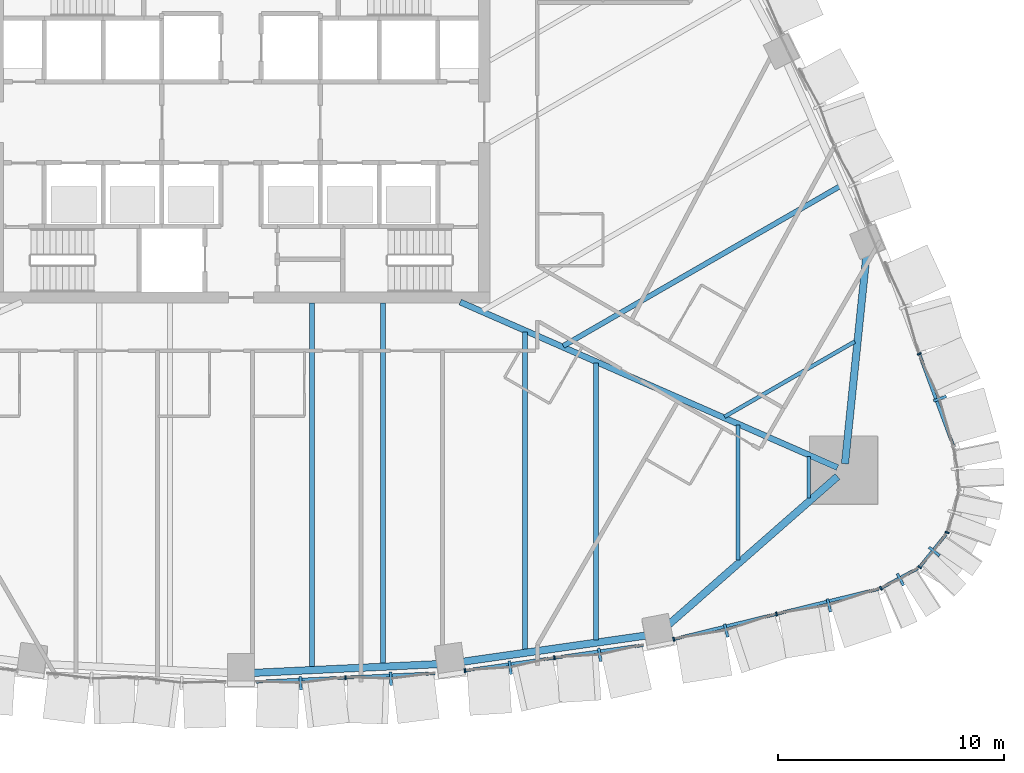
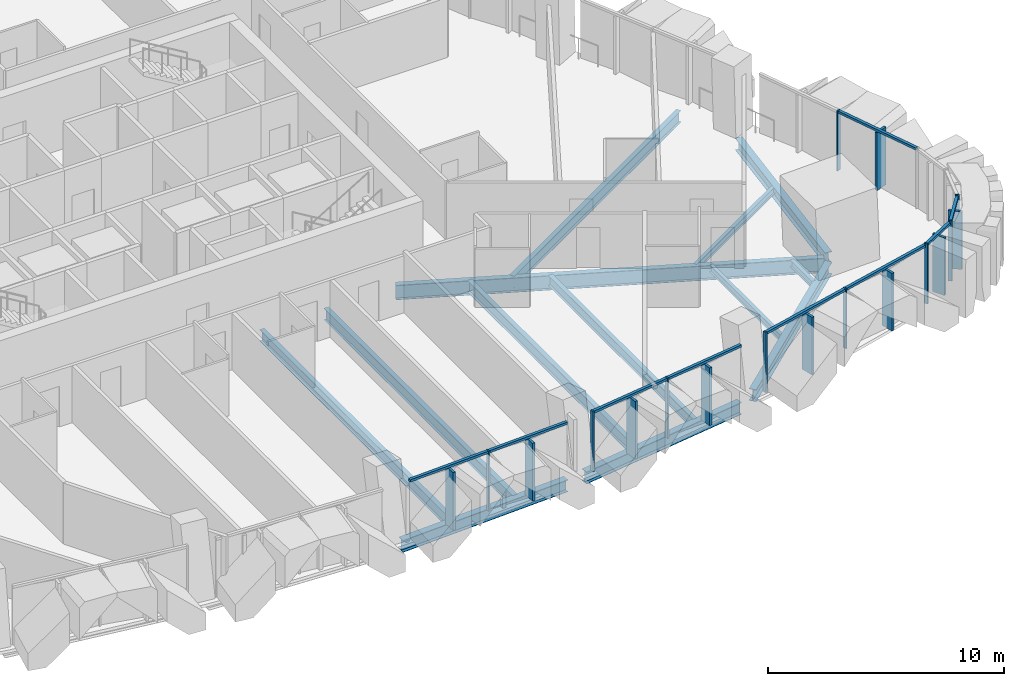
# One storey, part 4 of 22: 27 members, 13 beams, 7 elements without a shape of their own.
"""IFC4 building model written with IfcOpenShell, lengths in metres."""

from ifc_helpers import new_model, si_unit, direction, frame, origin, origin_2d, place, context, subcontext, project, spatial, rectangle, i_section, extrude, material, layer, layer_set, material_profile, profile_set, type_object, element, aggregate, save


model = new_model("IFC4")

# Units and contexts
model_context = context("Model", 3, precision=1e-05, world=origin(), true_north=direction((0.0, 1.0)))
body_context = subcontext(model_context, "Body", "Model", "MODEL_VIEW")
ifc_project = project(units=[si_unit("LENGTHUNIT", "METRE"), si_unit("AREAUNIT", "SQUARE_METRE"), si_unit("VOLUMEUNIT", "CUBIC_METRE"), si_unit("PLANEANGLEUNIT", "RADIAN"), si_unit("MASSUNIT", "GRAM", prefix="KILO")], contexts=[model_context])

# Site, building, storey
site_placement = place(None, origin())
site = spatial("IfcSite", under=ifc_project, at=site_placement, CompositionType="ELEMENT")
building_placement = place(site_placement, origin())
building = spatial("IfcBuilding", under=site, at=building_placement, Name="Sierra Prisma Convention Tower", CompositionType="ELEMENT")
storey_placement = place(building_placement, frame((0.0, 0.0, 66.5)))
storey = spatial("IfcBuildingStorey", under=building, at=storey_placement, Name="L12", CompositionType="ELEMENT", Elevation=66.5)

# Curtain wall, members
ifc_material_1 = material(Name="Aluminium and glass curtain wall", Category="aluminium")
ifc_layer = layer(ifc_material_1, 0.179931640625)
ifc_layer_set = layer_set([ifc_layer], Name="CW-2 Faceted crystal curtain wall")
curtain_wall_type = type_object("IfcCurtainWallType", Name="CW-2 Faceted crystal curtain wall", PredefinedType="NOTDEFINED", material=ifc_layer_set)
curtain_wall_1_placement = place(storey_placement, origin())
curtain_wall_1 = element("IfcCurtainWall", 1, at=curtain_wall_1_placement, inside=storey, type_object=curtain_wall_type, Name="CW-2 S4 L12", PredefinedType="NOTDEFINED")
ifc_material_2 = material(Name="Aluminium 6063-T6 bronze anodised", Category="aluminium")
ifc_material_profile_1 = material_profile(ifc_material_2, rectangle(XDim=0.1201171875, YDim=0.60009765625, at=origin_2d()), Name="ALU RIDGE BLADE 120x600")
ifc_profile_set_1 = profile_set([ifc_material_profile_1], Name="Aluminium 6063-T6 bronze anodised")
member_type_1 = type_object("IfcMemberType", Name="CW hip bronze", PredefinedType="MULLION", material=ifc_profile_set_1)
member_1_placement = place(storey_placement, frame((2.635009765625, -24.806396484375, 0.0), z_axis=(0.0, 0.0, 1.0), x_axis=(0.998890441381, 0.047094438284, 0.0)))
member_1 = element("IfcMember", 2, at=member_1_placement, type_object=member_type_1, Name="CW-2 ridge S4.1", PredefinedType="MULLION", context=body_context, shape_type="SweptSolid", body=[
    extrude(rectangle(XDim=0.1201171875, YDim=0.60009765625, at=origin_2d()), origin(), (0.0, 0.0, 1.0), 2.97998046875),
])
member_2_placement = place(storey_placement, frame((6.6220703125, -24.618408203125, 0.0), z_axis=(0.0, 0.0, 1.0), x_axis=(0.998890441381, 0.047094438284, 0.0)))
member_2 = element("IfcMember", 3, at=member_2_placement, type_object=member_type_1, Name="CW-2 ridge S4.2", PredefinedType="MULLION", context=body_context, shape_type="SweptSolid", body=[
    extrude(rectangle(XDim=0.1201171875, YDim=0.60009765625, at=origin_2d()), origin(), (0.0, 0.0, 1.0), 2.97998046875),
])

curtain_wall_2_placement = place(storey_placement, origin())
curtain_wall_2 = element("IfcCurtainWall", 4, at=curtain_wall_2_placement, inside=storey, type_object=curtain_wall_type, Name="CW-2 S5 L12", PredefinedType="NOTDEFINED")
member_3_placement = place(storey_placement, frame((11.9013671875, -24.11767578125, 0.0), z_axis=(0.0, 0.0, 1.0), x_axis=(0.989998282909, 0.141079409682, 0.0)))
member_3 = element("IfcMember", 5, at=member_3_placement, type_object=member_type_1, Name="CW-2 ridge S5.1", PredefinedType="MULLION", context=body_context, shape_type="SweptSolid", body=[
    extrude(rectangle(XDim=0.1201171875, YDim=0.60009765625, at=origin_2d()), origin(), (0.0, 0.0, 1.0), 2.97998046875),
])
member_4_placement = place(storey_placement, frame((15.85888671875, -23.5537109375, 0.0), z_axis=(0.0, 0.0, 1.0), x_axis=(0.989998282909, 0.141079409682, 0.0)))
member_4 = element("IfcMember", 6, at=member_4_placement, type_object=member_type_1, Name="CW-2 ridge S5.2", PredefinedType="MULLION", context=body_context, shape_type="SweptSolid", body=[
    extrude(rectangle(XDim=0.1201171875, YDim=0.60009765625, at=origin_2d()), origin(), (0.0, 0.0, 1.0), 2.97998046875),
])

curtain_wall_3_placement = place(storey_placement, origin())
curtain_wall_3 = element("IfcCurtainWall", 7, at=curtain_wall_3_placement, inside=storey, type_object=curtain_wall_type, Name="CW-2 S6 L12", PredefinedType="NOTDEFINED")
member_5_placement = place(storey_placement, frame((21.4501953125, -22.479248046875, 0.0), z_axis=(0.0, 0.0, 1.0), x_axis=(0.971254936274, 0.238041695432, 0.0)))
member_5 = element("IfcMember", 8, at=member_5_placement, type_object=member_type_1, Name="CW-2 ridge S6.1", PredefinedType="MULLION", context=body_context, shape_type="SweptSolid", body=[
    extrude(rectangle(XDim=0.1201171875, YDim=0.60009765625, at=origin_2d()), origin(), (0.0, 0.0, 1.0), 2.97998046875),
])
member_6_placement = place(storey_placement, frame((25.99755859375, -21.36474609375, 0.0), z_axis=(0.0, 0.0, 1.0), x_axis=(0.971254936274, 0.238041695432, 0.0)))
member_6 = element("IfcMember", 9, at=member_6_placement, type_object=member_type_1, Name="CW-2 ridge S6.2", PredefinedType="MULLION", context=body_context, shape_type="SweptSolid", body=[
    extrude(rectangle(XDim=0.1201171875, YDim=0.60009765625, at=origin_2d()), origin(), (0.0, 0.0, 1.0), 2.97998046875),
])

# Curtain wall, member
curtain_wall_4_placement = place(storey_placement, origin())
curtain_wall_4 = element("IfcCurtainWall", 10, at=curtain_wall_4_placement, inside=storey, type_object=curtain_wall_type, Name="CW-2 SE1 L12", PredefinedType="NOTDEFINED")
member_7_placement = place(storey_placement, frame((29.15771484375, -20.22412109375, 0.0), z_axis=(0.0, 0.0, 1.0), x_axis=(0.881454016151, 0.472269856557, 0.0)))
member_7 = element("IfcMember", 11, at=member_7_placement, type_object=member_type_1, Name="CW-2 ridge SE1.1", PredefinedType="MULLION", context=body_context, shape_type="SweptSolid", body=[
    extrude(rectangle(XDim=0.1201171875, YDim=0.60009765625, at=origin_2d()), origin(), (0.0, 0.0, 1.0), 2.97998046875),
])

curtain_wall_5_placement = place(storey_placement, origin())
curtain_wall_5 = element("IfcCurtainWall", 12, at=curtain_wall_5_placement, inside=storey, type_object=curtain_wall_type, Name="CW-2 SE2 L12", PredefinedType="NOTDEFINED")
member_8_placement = place(storey_placement, frame((30.65576171875, -18.98291015625, 0.0), z_axis=(0.0, 0.0, 1.0), x_axis=(0.627891516768, 0.778300869311, 0.0)))
member_8 = element("IfcMember", 13, at=member_8_placement, type_object=member_type_1, Name="CW-2 ridge SE2.1", PredefinedType="MULLION", context=body_context, shape_type="SweptSolid", body=[
    extrude(rectangle(XDim=0.1201171875, YDim=0.60009765625, at=origin_2d()), origin(), (0.0, 0.0, 1.0), 2.97998046875),
])

curtain_wall_6_placement = place(storey_placement, origin())
curtain_wall_6 = element("IfcCurtainWall", 14, at=curtain_wall_6_placement, inside=storey, type_object=curtain_wall_type, Name="CW-2 NE1 L12", PredefinedType="NOTDEFINED")
member_9_placement = place(storey_placement, frame((30.906005859375, -12.224853515625, 0.0), z_axis=(0.0, 0.0, 1.0), x_axis=(-0.347364051978, 0.937730353243, 0.0)))
member_9 = element("IfcMember", 15, at=member_9_placement, type_object=member_type_1, Name="CW-2 ridge NE1.1", PredefinedType="MULLION", context=body_context, shape_type="SweptSolid", body=[
    extrude(rectangle(XDim=0.1201171875, YDim=0.60009765625, at=origin_2d()), origin(), (0.0, 0.0, 1.0), 2.97998046875),
])

# Member
ifc_material_3 = material(Name="Aluminium 6063-T6 bronze anodised", Category="aluminium")
ifc_material_profile_2 = material_profile(ifc_material_3, rectangle(XDim=0.179931640625, YDim=0.070068359375, at=origin_2d()), Name="ALU MULLION 70x180")
ifc_profile_set_2 = profile_set([ifc_material_profile_2], Name="Aluminium 6063-T6 bronze anodised")
member_type_2 = type_object("IfcMemberType", Name="CW mullion bronze", PredefinedType="MULLION", material=ifc_profile_set_2)
member_10_placement = place(storey_placement, frame((4.621337890625, -24.558349609375, 0.0), z_axis=(0.0, 0.0, 1.0), x_axis=(-0.047094438284, 0.998890441381, 0.0)))
member_10 = element("IfcMember", 16, at=member_10_placement, type_object=member_type_2, Name="CW-1 mullion S4.2", PredefinedType="MULLION", context=body_context, shape_type="SweptSolid", body=[
    extrude(rectangle(XDim=0.179931640625, YDim=0.070068359375, at=origin_2d()), origin(), (0.0, 0.0, 1.0), 3.10009765625),
])

member_11_placement = place(storey_placement, frame((9.900634765625, -24.24658203125, 0.0), z_axis=(0.0, 0.0, 1.0), x_axis=(-0.141079409682, 0.989998282909, 0.0)))
member_11 = element("IfcMember", 17, at=member_11_placement, type_object=member_type_2, Name="CW-1 mullion S5.1", PredefinedType="MULLION", context=body_context, shape_type="SweptSolid", body=[
    extrude(rectangle(XDim=0.179931640625, YDim=0.070068359375, at=origin_2d()), origin(), (0.0, 0.0, 1.0), 3.10009765625),
])

member_12_placement = place(storey_placement, frame((13.8583984375, -23.6826171875, 0.0), z_axis=(0.0, 0.0, 1.0), x_axis=(-0.141079409682, 0.989998282909, 0.0)))
member_12 = element("IfcMember", 18, at=member_12_placement, type_object=member_type_2, Name="CW-1 mullion S5.2", PredefinedType="MULLION", context=body_context, shape_type="SweptSolid", body=[
    extrude(rectangle(XDim=0.179931640625, YDim=0.070068359375, at=origin_2d()), origin(), (0.0, 0.0, 1.0), 3.10009765625),
])

member_13_placement = place(storey_placement, frame((19.133544921875, -22.8603515625, 0.0), z_axis=(0.0, 0.0, 1.0), x_axis=(-0.238041695432, 0.971254936274, 0.0)))
member_13 = element("IfcMember", 19, at=member_13_placement, type_object=member_type_2, Name="CW-1 mullion S6.1", PredefinedType="MULLION", context=body_context, shape_type="SweptSolid", body=[
    extrude(rectangle(XDim=0.179931640625, YDim=0.070068359375, at=origin_2d()), origin(), (0.0, 0.0, 1.0), 3.10009765625),
])

member_14_placement = place(storey_placement, frame((23.6806640625, -21.745849609375, 0.0), z_axis=(0.0, 0.0, 1.0), x_axis=(-0.238041695432, 0.971254936274, 0.0)))
member_14 = element("IfcMember", 20, at=member_14_placement, type_object=member_type_2, Name="CW-1 mullion S6.2", PredefinedType="MULLION", context=body_context, shape_type="SweptSolid", body=[
    extrude(rectangle(XDim=0.179931640625, YDim=0.070068359375, at=origin_2d()), origin(), (0.0, 0.0, 1.0), 3.10009765625),
])

member_15_placement = place(storey_placement, frame((28.29296875, -20.6064453125, 0.0), z_axis=(0.0, 0.0, 1.0), x_axis=(-0.472269856557, 0.881454016151, 0.0)))
member_15 = element("IfcMember", 21, at=member_15_placement, type_object=member_type_2, Name="CW-1 mullion SE1.1", PredefinedType="MULLION", context=body_context, shape_type="SweptSolid", body=[
    extrude(rectangle(XDim=0.179931640625, YDim=0.070068359375, at=origin_2d()), origin(), (0.0, 0.0, 1.0), 3.10009765625),
])

member_16_placement = place(storey_placement, frame((30.008056640625, -19.671875, 0.0), z_axis=(0.0, 0.0, 1.0), x_axis=(-0.778300869311, 0.627891516768, 0.0)))
member_16 = element("IfcMember", 22, at=member_16_placement, type_object=member_type_2, Name="CW-1 mullion SE2.1", PredefinedType="MULLION", context=body_context, shape_type="SweptSolid", body=[
    extrude(rectangle(XDim=0.179931640625, YDim=0.070068359375, at=origin_2d()), origin(), (0.0, 0.0, 1.0), 3.10009765625),
])

# Curtain wall, member
curtain_wall_7_placement = place(storey_placement, origin())
curtain_wall_7 = element("IfcCurtainWall", 23, at=curtain_wall_7_placement, inside=storey, type_object=curtain_wall_type, Name="CW-2 SE3 L12", PredefinedType="NOTDEFINED")
member_17_placement = place(storey_placement, frame((31.223876953125, -18.143310546875, 0.0), z_axis=(0.0, 0.0, 1.0), x_axis=(-0.96140009888, 0.27515422925, 0.0)))
member_17 = element("IfcMember", 24, at=member_17_placement, type_object=member_type_2, Name="CW-1 mullion SE3.1", PredefinedType="MULLION", context=body_context, shape_type="SweptSolid", body=[
    extrude(rectangle(XDim=0.179931640625, YDim=0.070068359375, at=origin_2d()), origin(), (0.0, 0.0, 1.0), 3.10009765625),
])
aggregate(curtain_wall_7, [member_17])

# Member
member_18_placement = place(storey_placement, frame((29.992919921875, -10.24462890625, 0.0), z_axis=(0.0, 0.0, 1.0), x_axis=(-0.937730353243, -0.347364051978, 0.0)))
member_18 = element("IfcMember", 25, at=member_18_placement, type_object=member_type_2, Name="CW-1 mullion NE1.2", PredefinedType="MULLION", context=body_context, shape_type="SweptSolid", body=[
    extrude(rectangle(XDim=0.179931640625, YDim=0.070068359375, at=origin_2d()), origin(), (0.0, 0.0, 1.0), 3.10009765625),
])

ifc_material_4 = material(Name="Aluminium 6063-T6 bronze anodised", Category="aluminium")
ifc_material_profile_3 = material_profile(ifc_material_4, rectangle(XDim=0.139892578125, YDim=0.1201171875, at=origin_2d()), Name="ALU TRANSOM 120x140")
ifc_profile_set_3 = profile_set([ifc_material_profile_3], Name="Aluminium 6063-T6 bronze anodised")
member_type_3 = type_object("IfcMemberType", Name="CW transom bronze", PredefinedType="USERDEFINED", material=ifc_profile_set_3)
member_19_placement = place(storey_placement, frame((0.669189453125, -24.74462890625, 3.0400390625), z_axis=(0.998888749238, 0.04713031558, 0.0), x_axis=(-0.04713031558, 0.998888749238, 0.0)))
member_19 = element("IfcMember", 26, at=member_19_placement, type_object=member_type_3, Name="CW-1 transom S4.1", ObjectType="TRANSOM", PredefinedType="USERDEFINED", context=body_context, shape_type="SweptSolid", body=[
    extrude(rectangle(XDim=0.139892578125, YDim=0.1201171875, at=origin_2d()), origin(), (0.0, 0.0, 1.0), 3.92138671875),
])

member_20_placement = place(storey_placement, frame((4.65625, -24.556640625, 3.0400390625), z_axis=(0.998891678356, 0.047068194268, 0.0), x_axis=(-0.047068194268, 0.998891678356, 0.0)))
member_20 = element("IfcMember", 27, at=member_20_placement, type_object=member_type_3, Name="CW-1 transom S4.2", ObjectType="TRANSOM", PredefinedType="USERDEFINED", context=body_context, shape_type="SweptSolid", body=[
    extrude(rectangle(XDim=0.139892578125, YDim=0.1201171875, at=origin_2d()), origin(), (0.0, 0.0, 1.0), 3.92138671875),
])

aggregate(curtain_wall_1, [member_10, member_19, member_1, member_20, member_2])

member_21_placement = place(storey_placement, frame((9.935302734375, -24.24169921875, 3.0400390625), z_axis=(0.98999543845, 0.1410993687, 0.0), x_axis=(-0.1410993687, 0.98999543845, 0.0)))
member_21 = element("IfcMember", 28, at=member_21_placement, type_object=member_type_3, Name="CW-1 transom S5.1", ObjectType="TRANSOM", PredefinedType="USERDEFINED", context=body_context, shape_type="SweptSolid", body=[
    extrude(rectangle(XDim=0.139892578125, YDim=0.1201171875, at=origin_2d()), origin(), (0.0, 0.0, 1.0), 3.927734375),
])

member_22_placement = place(storey_placement, frame((13.89306640625, -23.677734375, 3.0400390625), z_axis=(0.98999543845, 0.1410993687, 0.0), x_axis=(-0.1410993687, 0.98999543845, 0.0)))
member_22 = element("IfcMember", 29, at=member_22_placement, type_object=member_type_3, Name="CW-1 transom S5.2", ObjectType="TRANSOM", PredefinedType="USERDEFINED", context=body_context, shape_type="SweptSolid", body=[
    extrude(rectangle(XDim=0.139892578125, YDim=0.1201171875, at=origin_2d()), origin(), (0.0, 0.0, 1.0), 3.927734375),
])

aggregate(curtain_wall_2, [member_11, member_12, member_21, member_3, member_22, member_4])

member_23_placement = place(storey_placement, frame((19.16748046875, -22.851806640625, 3.0400390625), z_axis=(0.971262355511, 0.238011421506, 0.0), x_axis=(-0.238011421506, 0.971262355511, 0.0)))
member_23 = element("IfcMember", 30, at=member_23_placement, type_object=member_type_3, Name="CW-1 transom S6.1", ObjectType="TRANSOM", PredefinedType="USERDEFINED", context=body_context, shape_type="SweptSolid", body=[
    extrude(rectangle(XDim=0.139892578125, YDim=0.1201171875, at=origin_2d()), origin(), (0.0, 0.0, 1.0), 4.61181640625),
])

member_24_placement = place(storey_placement, frame((23.71484375, -21.737548828125, 3.0400390625), z_axis=(0.971250116511, 0.238061360111, 0.0), x_axis=(-0.238061360111, 0.971250116511, 0.0)))
member_24 = element("IfcMember", 31, at=member_24_placement, type_object=member_type_3, Name="CW-1 transom S6.2", ObjectType="TRANSOM", PredefinedType="USERDEFINED", context=body_context, shape_type="SweptSolid", body=[
    extrude(rectangle(XDim=0.139892578125, YDim=0.1201171875, at=origin_2d()), origin(), (0.0, 0.0, 1.0), 4.61181640625),
])

aggregate(curtain_wall_3, [member_13, member_14, member_23, member_5, member_24, member_6])

member_25_placement = place(storey_placement, frame((28.32373046875, -20.58984375, 3.0400390625), z_axis=(0.881431996422, 0.472310952323, 0.0), x_axis=(-0.472310952323, 0.881431996422, 0.0)))
member_25 = element("IfcMember", 32, at=member_25_placement, type_object=member_type_3, Name="CW-1 transom SE1.1", ObjectType="TRANSOM", PredefinedType="USERDEFINED", context=body_context, shape_type="SweptSolid", body=[
    extrude(rectangle(XDim=0.139892578125, YDim=0.1201171875, at=origin_2d()), origin(), (0.0, 0.0, 1.0), 1.81591796875),
])

aggregate(curtain_wall_4, [member_15, member_25, member_7])

member_26_placement = place(storey_placement, frame((30.030029296875, -19.644775390625, 3.0400390625), z_axis=(0.627870700266, 0.778317662492, 0.0), x_axis=(-0.778317662492, 0.627870700266, 0.0)))
member_26 = element("IfcMember", 33, at=member_26_placement, type_object=member_type_3, Name="CW-1 transom SE2.1", ObjectType="TRANSOM", PredefinedType="USERDEFINED", context=body_context, shape_type="SweptSolid", body=[
    extrude(rectangle(XDim=0.139892578125, YDim=0.1201171875, at=origin_2d()), origin(), (0.0, 0.0, 1.0), 1.81591796875),
])

aggregate(curtain_wall_5, [member_16, member_26, member_8])

member_27_placement = place(storey_placement, frame((31.4912109375, -14.289306640625, 3.0400390625), z_axis=(-0.347368255907, 0.937728795968, 0.0), x_axis=(-0.937728795968, -0.347368255907, 0.0)))
member_27 = element("IfcMember", 34, at=member_27_placement, type_object=member_type_3, Name="CW-1 transom NE1.1", ObjectType="TRANSOM", PredefinedType="USERDEFINED", context=body_context, shape_type="SweptSolid", body=[
    extrude(rectangle(XDim=0.139892578125, YDim=0.1201171875, at=origin_2d()), origin(), (0.0, 0.0, 1.0), 4.278076171875),
])

aggregate(curtain_wall_6, [member_18, member_27, member_9])

# Beams
ifc_material_5 = material(Name="Steel ASTM A992 Gr 50", Category="steel")
ifc_material_profile_4 = material_profile(ifc_material_5, i_section(OverallWidth=0.172119140625, OverallDepth=0.35791015625, WebThickness=0.0078125, FlangeThickness=0.01318359375, at=origin_2d()), Name="W360x57")
ifc_profile_set_4 = profile_set([ifc_material_profile_4], Name="Steel ASTM A992 Gr 50")
beam_type_1 = type_object("IfcBeamType", Name="Floor joist W360x57", PredefinedType="JOIST", material=ifc_profile_set_4)
beam_1_placement = place(storey_placement, frame((21.96826171875, -19.36474609375, -0.3291015625), z_axis=(0.0, 1.0, 0.0), x_axis=(-1.0, 0.0, 0.0)))
element("IfcBeam", 35, at=beam_1_placement, inside=storey, type_object=beam_type_1, Name="Floor joist L12 S16", PredefinedType="JOIST", context=body_context, shape_type="SweptSolid", body=[
    extrude(i_section(OverallWidth=0.172119140625, OverallDepth=0.35791015625, WebThickness=0.0078125, FlangeThickness=0.01318359375, at=origin_2d()), origin(), (0.0, 0.0, 1.0), 5.97021484375),
])
beam_2_placement = place(storey_placement, frame((25.106689453125, -16.611572265625, -0.3291015625), z_axis=(0.0, 1.0, 0.0), x_axis=(-1.0, 0.0, 0.0)))
element("IfcBeam", 36, at=beam_2_placement, inside=storey, type_object=beam_type_1, Name="Floor joist L12 S17", PredefinedType="JOIST", context=body_context, shape_type="SweptSolid", body=[
    extrude(i_section(OverallWidth=0.172119140625, OverallDepth=0.35791015625, WebThickness=0.0078125, FlangeThickness=0.01318359375, at=origin_2d()), origin(), (0.0, 0.0, 1.0), 1.840576171875),
])
beam_3_placement = place(storey_placement, frame((27.140625, -9.697265625, -0.3291015625), z_axis=(-0.866031500321, -0.49998944034, 0.0), x_axis=(0.49998944034, -0.866031500321, 0.0)))
element("IfcBeam", 37, at=beam_3_placement, inside=storey, type_object=beam_type_1, Name="Floor joist L12 NE02", PredefinedType="JOIST", context=body_context, shape_type="SweptSolid", body=[
    extrude(i_section(OverallWidth=0.172119140625, OverallDepth=0.35791015625, WebThickness=0.0078125, FlangeThickness=0.01318359375, at=origin_2d()), origin(), (0.0, 0.0, 1.0), 6.649169921875),
])
ifc_material_6 = material(Name="Steel ASTM A992 Gr 50", Category="steel")
ifc_material_profile_5 = material_profile(ifc_material_6, i_section(OverallWidth=0.208984375, OverallDepth=0.532958984375, WebThickness=0.01025390625, FlangeThickness=0.015625, at=origin_2d()), Name="W530x92")
ifc_profile_set_5 = profile_set([ifc_material_profile_5], Name="Steel ASTM A992 Gr 50")
beam_type_2 = type_object("IfcBeamType", Name="Floor joist W530x92", PredefinedType="JOIST", material=ifc_profile_set_5)
beam_4_placement = place(storey_placement, frame((15.691650390625, -22.901611328125, -0.41650390625), z_axis=(0.0, 1.0, 0.0), x_axis=(-1.0, 0.0, 0.0)))
element("IfcBeam", 38, at=beam_4_placement, inside=storey, type_object=beam_type_2, Name="Floor joist L12 S14", PredefinedType="JOIST", context=body_context, shape_type="SweptSolid", body=[
    extrude(i_section(OverallWidth=0.208984375, OverallDepth=0.532958984375, WebThickness=0.01025390625, FlangeThickness=0.015625, at=origin_2d()), origin(), (0.0, 0.0, 1.0), 12.259765625),
])
ifc_material_7 = material(Name="Steel ASTM A992 Gr 50", Category="steel")
ifc_material_profile_6 = material_profile(ifc_material_7, i_section(OverallWidth=0.22802734375, OverallDepth=0.60302734375, WebThickness=0.010498046875, FlangeThickness=0.014892578125, at=origin_2d()), Name="W610x101")
ifc_profile_set_6 = profile_set([ifc_material_profile_6], Name="Steel ASTM A992 Gr 50")
beam_type_3 = type_object("IfcBeamType", Name="Floor joist W610x101", PredefinedType="JOIST", material=ifc_profile_set_6)
beam_5_placement = place(storey_placement, frame((3.138427734375, -24.114990234375, -0.451416015625), z_axis=(0.0, 1.0, 0.0), x_axis=(-1.0, 0.0, 0.0)))
element("IfcBeam", 39, at=beam_5_placement, inside=storey, type_object=beam_type_3, Name="Floor joist L12 S10", PredefinedType="JOIST", context=body_context, shape_type="SweptSolid", body=[
    extrude(i_section(OverallWidth=0.22802734375, OverallDepth=0.60302734375, WebThickness=0.010498046875, FlangeThickness=0.014892578125, at=origin_2d()), origin(), (0.0, 0.0, 1.0), 16.114990234375),
])
beam_6_placement = place(storey_placement, frame((6.276611328125, -23.96630859375, -0.451416015625), z_axis=(0.0, 1.0, 0.0), x_axis=(-1.0, 0.0, 0.0)))
element("IfcBeam", 40, at=beam_6_placement, inside=storey, type_object=beam_type_3, Name="Floor joist L12 S11", PredefinedType="JOIST", context=body_context, shape_type="SweptSolid", body=[
    extrude(i_section(OverallWidth=0.22802734375, OverallDepth=0.60302734375, WebThickness=0.010498046875, FlangeThickness=0.014892578125, at=origin_2d()), origin(), (0.0, 0.0, 1.0), 15.96630859375),
])
beam_7_placement = place(storey_placement, frame((12.55322265625, -23.3505859375, -0.451416015625), z_axis=(0.0, 1.0, 0.0), x_axis=(-1.0, 0.0, 0.0)))
element("IfcBeam", 41, at=beam_7_placement, inside=storey, type_object=beam_type_3, Name="Floor joist L12 S13", PredefinedType="JOIST", context=body_context, shape_type="SweptSolid", body=[
    extrude(i_section(OverallWidth=0.22802734375, OverallDepth=0.60302734375, WebThickness=0.010498046875, FlangeThickness=0.014892578125, at=origin_2d()), origin(), (0.0, 0.0, 1.0), 14.085205078125),
])
beam_8_placement = place(storey_placement, frame((26.478759765625, -2.83154296875, -0.451416015625), z_axis=(-0.866017462136, -0.500013755087, 0.0), x_axis=(0.500013755087, -0.866017462136, 0.0)))
element("IfcBeam", 42, at=beam_8_placement, inside=storey, type_object=beam_type_3, Name="Floor joist L12 NE04", PredefinedType="JOIST", context=body_context, shape_type="SweptSolid", body=[
    extrude(i_section(OverallWidth=0.22802734375, OverallDepth=0.60302734375, WebThickness=0.010498046875, FlangeThickness=0.014892578125, at=origin_2d()), origin(), (0.0, 0.0, 1.0), 14.12255859375),
])
ifc_material_8 = material(Name="Steel ASTM A992 Gr 50", Category="steel")
ifc_material_profile_7 = material_profile(ifc_material_8, i_section(OverallWidth=0.264892578125, OverallDepth=0.7529296875, WebThickness=0.01318359375, FlangeThickness=0.01708984375, at=origin_2d()), Name="W760x147")
ifc_profile_set_7 = profile_set([ifc_material_profile_7], Name="Steel ASTM A992 Gr 50")
beam_type_4 = type_object("IfcBeamType", Name="Radial girder W760x147", PredefinedType="BEAM", material=ifc_profile_set_7)
beam_9_placement = place(storey_placement, frame((26.375732421875, -15.269775390625, -0.526611328125), z_axis=(-0.915795299403, 0.401645328109, 0.0), x_axis=(-0.401645328109, -0.915795299403, 0.0)))
element("IfcBeam", 43, at=beam_9_placement, inside=storey, type_object=beam_type_4, Name="Radial girder L12 SE", PredefinedType="BEAM", context=body_context, shape_type="SweptSolid", body=[
    extrude(i_section(OverallWidth=0.264892578125, OverallDepth=0.7529296875, WebThickness=0.01318359375, FlangeThickness=0.01708984375, at=origin_2d()), origin(), (0.0, 0.0, 1.0), 18.2197265625),
])
ifc_material_9 = material(Name="Steel ASTM A992 Gr 50", Category="steel")
ifc_material_profile_8 = material_profile(ifc_material_9, i_section(OverallWidth=0.324951171875, OverallDepth=0.615966796875, WebThickness=0.013916015625, FlangeThickness=0.021484375, at=origin_2d()), Name="W610x174")
ifc_profile_set_8 = profile_set([ifc_material_profile_8], Name="Steel ASTM A992 Gr 50")
beam_type_5 = type_object("IfcBeamType", Name="Spandrel beam W610x174", PredefinedType="BEAM", material=ifc_profile_set_8)
beam_10_placement = place(storey_placement, frame((0.480224609375, -24.353515625, -0.4580078125), z_axis=(0.998881289469, 0.04728815443, 0.0), x_axis=(-0.04728815443, 0.998881289469, 0.0)))
element("IfcBeam", 44, at=beam_10_placement, inside=storey, type_object=beam_type_5, Name="Spandrel L12-04", PredefinedType="BEAM", context=body_context, shape_type="SweptSolid", body=[
    extrude(i_section(OverallWidth=0.324951171875, OverallDepth=0.615966796875, WebThickness=0.013916015625, FlangeThickness=0.021484375, at=origin_2d()), origin(), (0.0, 0.0, 1.0), 8.29150390625),
])
beam_11_placement = place(storey_placement, frame((9.71826171875, -23.87060546875, -0.4580078125), z_axis=(0.989915485623, 0.141659208394, 0.0), x_axis=(-0.141659208394, 0.989915485623, 0.0)))
element("IfcBeam", 45, at=beam_11_placement, inside=storey, type_object=beam_type_5, Name="Spandrel L12-05", PredefinedType="BEAM", context=body_context, shape_type="SweptSolid", body=[
    extrude(i_section(OverallWidth=0.324951171875, OverallDepth=0.615966796875, WebThickness=0.013916015625, FlangeThickness=0.021484375, at=origin_2d()), origin(), (0.0, 0.0, 1.0), 8.33447265625),
])
beam_12_placement = place(storey_placement, frame((18.87744140625, -22.2421875, -0.4580078125), z_axis=(0.751749746207, 0.659448496152, 0.0), x_axis=(-0.659448496152, 0.751749746207, 0.0)))
element("IfcBeam", 46, at=beam_12_placement, inside=storey, type_object=beam_type_5, Name="Spandrel L12-06", PredefinedType="BEAM", context=body_context, shape_type="SweptSolid", body=[
    extrude(i_section(OverallWidth=0.324951171875, OverallDepth=0.615966796875, WebThickness=0.013916015625, FlangeThickness=0.021484375, at=origin_2d()), origin(), (0.0, 0.0, 1.0), 9.974365234375),
])
beam_13_placement = place(storey_placement, frame((26.706787109375, -15.101318359375, -0.4580078125), z_axis=(0.102405396175, 0.994742748068, 0.0), x_axis=(-0.994742748068, 0.102405396175, 0.0)))
element("IfcBeam", 47, at=beam_13_placement, inside=storey, type_object=beam_type_5, Name="Spandrel L12-07", PredefinedType="BEAM", context=body_context, shape_type="SweptSolid", body=[
    extrude(i_section(OverallWidth=0.324951171875, OverallDepth=0.615966796875, WebThickness=0.013916015625, FlangeThickness=0.021484375, at=origin_2d()), origin(), (0.0, 0.0, 1.0), 9.29541015625),
])

save(model, "model.ifc")
